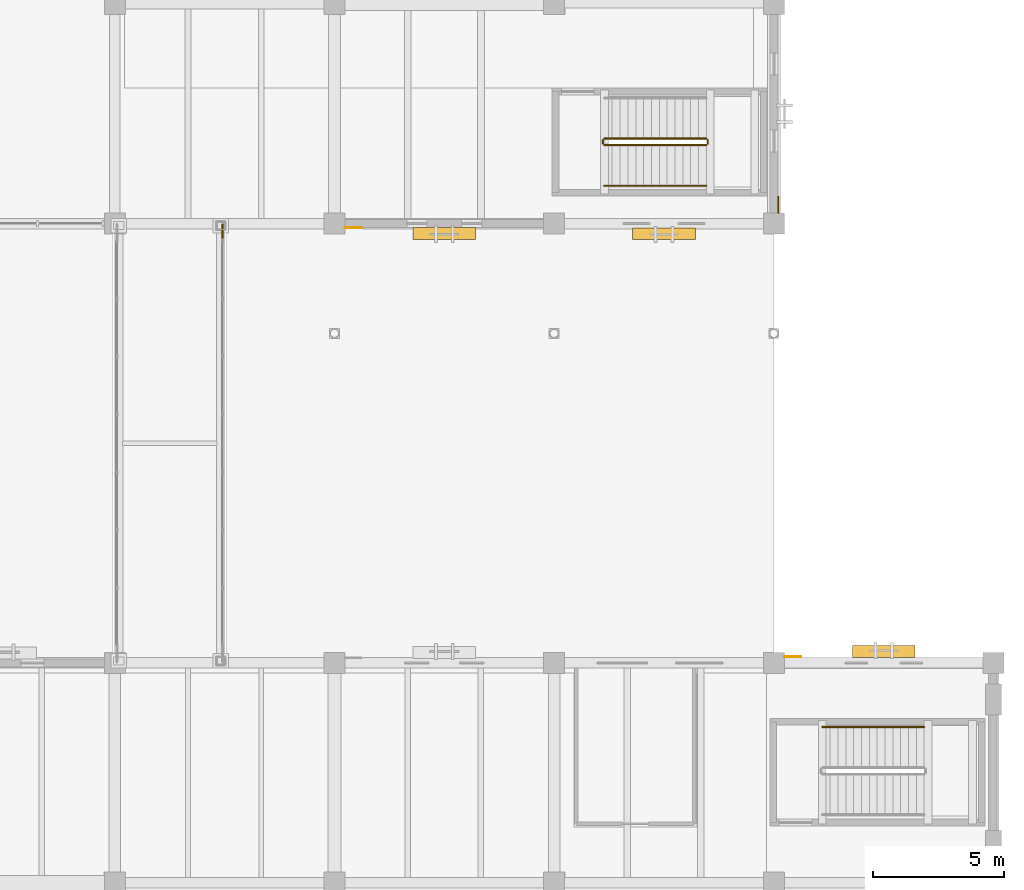
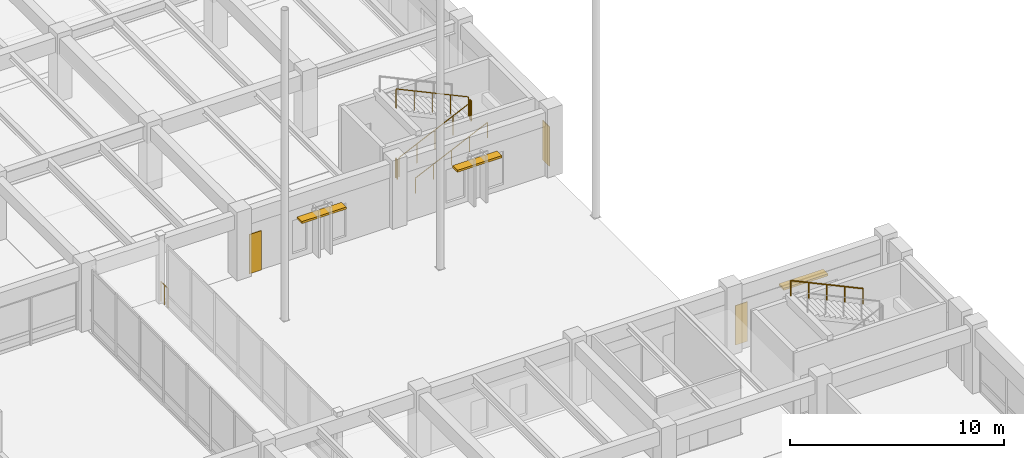
# One storey, part 133 of 135: 7 railings, 3 coverings, 3 shading devices.
"""IFC4 building model written with IfcOpenShell, lengths in metres."""

from ifc_helpers import new_model, si_unit, direction, frame, origin, origin_2d, place, context, subcontext, project, spatial, polyline, rectangle, circle, outline, extrude, material, layer, layer_set, type_object, element, save


model = new_model("IFC4")

# Units and contexts
model_context = context("Model", 3, precision=1e-05, world=origin(), true_north=direction((0.0, 1.0)))
body_context = subcontext(model_context, "Body", "Model", "MODEL_VIEW")
ifc_project = project(units=[si_unit("LENGTHUNIT", "METRE"), si_unit("AREAUNIT", "SQUARE_METRE"), si_unit("VOLUMEUNIT", "CUBIC_METRE"), si_unit("PLANEANGLEUNIT", "RADIAN"), si_unit("MASSUNIT", "GRAM", prefix="KILO")], contexts=[model_context])

# Site, building, storey
site_placement = place(None, origin())
site = spatial("IfcSite", under=ifc_project, at=site_placement, CompositionType="ELEMENT")
building_placement = place(site_placement, origin())
building = spatial("IfcBuilding", under=site, at=building_placement, Name="Cumbredor Promenade Congress Hotel", CompositionType="ELEMENT")
storey_placement = place(building_placement, origin())
storey = spatial("IfcBuildingStorey", under=building, at=storey_placement, Name="L00", CompositionType="ELEMENT", Elevation=0.0)

# Covering
ifc_material_1 = material(Name="Precast concrete C40/50", Category="concrete")
ifc_layer_1 = layer(ifc_material_1, 0.044921875, Name="Precast concrete C40/50", Category="concrete")
ifc_layer_set_1 = layer_set([ifc_layer_1], Name="Precast concrete C40/50")
covering_type_1 = type_object("IfcCoveringType", Name="Board-Formed Architectural Cladding Panel 45mm", PredefinedType="CLADDING", material=ifc_layer_set_1)
covering_1_placement = place(storey_placement, origin())
element("IfcCovering", 1, at=covering_1_placement, inside=storey, type_object=covering_type_1, Name="L00 Facade Stone Cladding Pier 032", PredefinedType="CLADDING", context=body_context, shape_type="SweptSolid", body=[
    extrude(outline(polyline([(176.550048828125, 84.40087890625), (176.550048828125, 85.051025390625), (176.594970703125, 85.051025390625), (176.594970703125, 84.40087890625), (176.550048828125, 84.40087890625)])), origin(), (0.0, 0.0, 1.0), 2.25),
])

# Shading devices
ifc_material_2 = material(Name="Thermally broken anodized aluminium", Category="aluminium")
shading_device_type = type_object("IfcShadingDeviceType", Name="Horizontal Bronze Jalousie Louvre JAL-01", PredefinedType="JALOUSIE", material=ifc_material_2)
for number, where, z_axis, x_axis, name in (
    (2, (180.60009765625, 67.637451171875, 2.2099609375), (0.0, 0.0, 1.0), (1.0, 0.0, 0.0), "L00 Horizontal Bronze Jalousie 010"),
    (3, (163.800048828125, 83.625, 2.2099609375), (0.0, 0.0, 1.0), (1.0, 0.0, 0.0), "L00 Horizontal Bronze Jalousie 015"),
    (4, (172.199951171875, 83.612548828125, 2.2099609375), (0.0, 0.0, 1.0), (1.0, 0.0, 0.0), "L00 Horizontal Bronze Jalousie 016"),
):
    element("IfcShadingDevice", number, at=place(storey_placement, frame(where, z_axis=z_axis, x_axis=x_axis)), inside=storey, type_object=shading_device_type, Name=name, PredefinedType="JALOUSIE", context=body_context, shape_type="SweptSolid", body=[
        extrude(rectangle(XDim=2.39990234375, YDim=0.449951171875, at=origin_2d()), origin(), (0.0, 0.0, 1.0), 0.1201171875),
    ])

# Railings
ifc_material_3 = material(Name="Brushed stainless steel", Category="steel")
railing_type_1 = type_object("IfcRailingType", Name="Interior Void & Stair Guardrail GR-1100", PredefinedType="GUARDRAIL", material=ifc_material_3)
railing_1_placement = place(storey_placement, frame((169.919921875, 87.0, 0.139892578125)))
element("IfcRailing", 5, at=railing_1_placement, inside=storey, type_object=railing_type_1, Name="L00 ST-14 stair guard 1", PredefinedType="GUARDRAIL", context=body_context, shape_type="SweptSolid", body=[
    extrude(circle(Radius=0.02392578125, at=origin_2d()), frame((0.0, 0.0, 1.09619140625), z_axis=(0.906183139995, 0.0, 0.422885465331), x_axis=(0.0, 1.0, 0.0)), (0.0, 0.0, 1.0), 4.303955078125),
    extrude(circle(Radius=0.02099609375, at=origin_2d()), origin(), (0.0, 0.0, 1.0), 1.072021484375),
    extrude(circle(Radius=0.02099609375, at=origin_2d()), frame((0.97509765625, 0.0, 0.455078125)), (0.0, 0.0, 1.0), 1.072021484375),
    extrude(circle(Radius=0.02099609375, at=origin_2d()), frame((1.9501953125, 0.0, 0.91015625)), (0.0, 0.0, 1.0), 1.072021484375),
    extrude(circle(Radius=0.02099609375, at=origin_2d()), frame((2.925048828125, 0.0, 1.364990234375)), (0.0, 0.0, 1.0), 1.072021484375),
    extrude(circle(Radius=0.02099609375, at=origin_2d()), frame((3.900146484375, 0.0, 1.820068359375)), (0.0, 0.0, 1.0), 1.072021484375),
])
railing_2_placement = place(storey_placement, frame((173.8701171875, 87.050048828125, 1.9599609375)))
element("IfcRailing", 6, at=railing_2_placement, inside=storey, type_object=railing_type_1, Name="L00 ST-14 stair guard 2", PredefinedType="GUARDRAIL", context=body_context, shape_type="SweptSolid", body=[
    extrude(circle(Radius=0.02392578125, at=origin_2d()), frame((0.0, 0.0, 1.09619140625), z_axis=(0.0, 1.0, 0.0), x_axis=(-1.0, 0.0, 0.0)), (0.0, 0.0, 1.0), 0.14990234375),
    extrude(circle(Radius=0.02099609375, at=origin_2d()), origin(), (0.0, 0.0, 1.0), 1.072021484375),
    extrude(circle(Radius=0.02099609375, at=origin_2d()), frame((0.0, 0.14990234375, 0.0)), (0.0, 0.0, 1.0), 1.072021484375),
])
railing_3_placement = place(storey_placement, frame((173.820068359375, 87.25, 2.10009765625)))
element("IfcRailing", 7, at=railing_3_placement, inside=storey, type_object=railing_type_1, Name="L00 ST-14 stair guard 3", PredefinedType="GUARDRAIL", context=body_context, shape_type="SweptSolid", body=[
    extrude(circle(Radius=0.02392578125, at=origin_2d()), frame((0.0, 0.0, 1.09619140625), z_axis=(-0.906204877032, 0.0, 0.422838882842), x_axis=(0.0, -1.0, 0.0)), (0.0, 0.0, 1.0), 4.3037109375),
    extrude(circle(Radius=0.02099609375, at=origin_2d()), origin(), (0.0, 0.0, 1.0), 1.072021484375),
    extrude(circle(Radius=0.02099609375, at=origin_2d()), frame((-0.97509765625, 0.0, 0.455078125)), (0.0, 0.0, 1.0), 1.072021484375),
    extrude(circle(Radius=0.02099609375, at=origin_2d()), frame((-1.9501953125, 0.0, 0.909912109375)), (0.0, 0.0, 1.0), 1.072021484375),
    extrude(circle(Radius=0.02099609375, at=origin_2d()), frame((-2.925048828125, 0.0, 1.36474609375)), (0.0, 0.0, 1.0), 1.072021484375),
    extrude(circle(Radius=0.02099609375, at=origin_2d()), frame((-3.900146484375, 0.0, 1.81982421875)), (0.0, 0.0, 1.0), 1.072021484375),
])
railing_4_placement = place(storey_placement, frame((169.8701171875, 87.050048828125, 0.0)))
element("IfcRailing", 8, at=railing_4_placement, inside=storey, type_object=railing_type_1, Name="L00 ST-14 stair guard 4", PredefinedType="GUARDRAIL", context=body_context, shape_type="SweptSolid", body=[
    extrude(circle(Radius=0.02392578125, at=origin_2d()), frame((0.0, 0.0, 1.09619140625), z_axis=(0.0, 1.0, 0.0), x_axis=(-1.0, 0.0, 0.0)), (0.0, 0.0, 1.0), 0.14990234375),
    extrude(circle(Radius=0.02099609375, at=origin_2d()), origin(), (0.0, 0.0, 1.0), 1.072021484375),
    extrude(circle(Radius=0.02099609375, at=origin_2d()), frame((0.0, 0.14990234375, 0.0)), (0.0, 0.0, 1.0), 1.072021484375),
])
railing_type_2 = type_object("IfcRailingType", Name="Sky Garden Glass-and-Steel Balustrade BAL-1150", PredefinedType="BALUSTRADE", material=ifc_material_3)
railing_5_placement = place(storey_placement, frame((155.320068359375, 83.300048828125, 0.0)))
element("IfcRailing", 9, at=railing_5_placement, inside=storey, type_object=railing_type_2, Name="L00 East Ballroom-to-Forum Glazed Bridge End Guardrail NE", PredefinedType="BALUSTRADE", context=body_context, shape_type="SweptSolid", body=[
    extrude(circle(Radius=0.02392578125, at=origin_2d()), frame((0.0, 0.0, 1.1259765625), z_axis=(0.0, 1.0, 0.0), x_axis=(-1.0, 0.0, 0.0)), (0.0, 0.0, 1.0), 0.669921875),
    extrude(circle(Radius=0.02099609375, at=origin_2d()), origin(), (0.0, 0.0, 1.0), 1.101806640625),
    extrude(circle(Radius=0.02099609375, at=origin_2d()), frame((0.0, 0.3349609375, 0.0)), (0.0, 0.0, 1.0), 1.101806640625),
    extrude(circle(Radius=0.02099609375, at=origin_2d()), frame((0.0, 0.669921875, 0.0)), (0.0, 0.0, 1.0), 1.101806640625),
])
railing_type_3 = type_object("IfcRailingType", Name="Stair Pitch Handrail HR-900", PredefinedType="HANDRAIL", material=ifc_material_3)
railing_6_placement = place(storey_placement, frame((182.14990234375, 64.75, 2.10009765625)))
element("IfcRailing", 10, at=railing_6_placement, inside=storey, type_object=railing_type_3, Name="L00 ST-10 stair handrail 2", PredefinedType="HANDRAIL", context=body_context, shape_type="SweptSolid", body=[
    extrude(circle(Radius=0.02392578125, at=origin_2d()), frame((0.0, 0.0, 0.8759765625), z_axis=(-0.906194733976, 0.0, 0.422860620199), x_axis=(0.0, -1.0, 0.0)), (0.0, 0.0, 1.0), 4.3037109375),
    extrude(circle(Radius=0.02099609375, at=origin_2d()), origin(), (0.0, 0.0, 1.0), 0.851806640625),
    extrude(circle(Radius=0.02099609375, at=origin_2d()), frame((-0.97509765625, 0.0, 0.455078125)), (0.0, 0.0, 1.0), 0.851806640625),
    extrude(circle(Radius=0.02099609375, at=origin_2d()), frame((-1.949951171875, 0.0, 0.909912109375)), (0.0, 0.0, 1.0), 0.851806640625),
    extrude(circle(Radius=0.02099609375, at=origin_2d()), frame((-2.9248046875, 0.0, 1.36474609375)), (0.0, 0.0, 1.0), 0.851806640625),
    extrude(circle(Radius=0.02099609375, at=origin_2d()), frame((-3.89990234375, 0.0, 1.81982421875)), (0.0, 0.0, 1.0), 0.851806640625),
])
railing_7_placement = place(storey_placement, frame((169.919921875, 85.449951171875, 0.139892578125)))
element("IfcRailing", 11, at=railing_7_placement, inside=storey, type_object=railing_type_3, Name="L00 ST-14 stair handrail 1", PredefinedType="HANDRAIL", context=body_context, shape_type="SweptSolid", body=[
    extrude(circle(Radius=0.02392578125, at=origin_2d()), frame((0.0, 0.0, 0.8759765625), z_axis=(0.906183139995, 0.0, 0.422885465331), x_axis=(0.0, 1.0, 0.0)), (0.0, 0.0, 1.0), 4.303955078125),
    extrude(circle(Radius=0.02099609375, at=origin_2d()), origin(), (0.0, 0.0, 1.0), 0.851806640625),
    extrude(circle(Radius=0.02099609375, at=origin_2d()), frame((0.97509765625, 0.0, 0.455078125)), (0.0, 0.0, 1.0), 0.851806640625),
    extrude(circle(Radius=0.02099609375, at=origin_2d()), frame((1.9501953125, 0.0, 0.91015625)), (0.0, 0.0, 1.0), 0.851806640625),
    extrude(circle(Radius=0.02099609375, at=origin_2d()), frame((2.925048828125, 0.0, 1.364990234375)), (0.0, 0.0, 1.0), 0.851806640625),
    extrude(circle(Radius=0.02099609375, at=origin_2d()), frame((3.900146484375, 0.0, 1.820068359375)), (0.0, 0.0, 1.0), 0.851806640625),
])

# Coverings
ifc_material_4 = material(Name="Volcanic andesite ashlar cladding", Category="masonry")
ifc_layer_2 = layer(ifc_material_4, 0.034912109375, Name="Volcanic andesite ashlar cladding", Category="masonry")
ifc_layer_set_2 = layer_set([ifc_layer_2], Name="Volcanic andesite ashlar cladding")
covering_type_2 = type_object("IfcCoveringType", Name="Volcanic Andesite Ashlar Rainscreen Cladding 35mm", PredefinedType="CLADDING", material=ifc_layer_set_2)
covering_2_placement = place(storey_placement, origin())
element("IfcCovering", 12, at=covering_2_placement, inside=storey, type_object=covering_type_2, Name="L00 Facade Stone Cladding Pier 013", PredefinedType="CLADDING", context=body_context, shape_type="SweptSolid", body=[
    extrude(outline(polyline([(176.801025390625, 67.41259765625), (177.450927734375, 67.41259765625), (177.450927734375, 67.447509765625), (176.801025390625, 67.447509765625), (176.801025390625, 67.41259765625)])), origin(), (0.0, 0.0, 1.0), 2.25),
])
covering_3_placement = place(storey_placement, origin())
element("IfcCovering", 13, at=covering_3_placement, inside=storey, type_object=covering_type_2, Name="L00 Facade Stone Cladding Pier 027", PredefinedType="CLADDING", context=body_context, shape_type="SweptSolid", body=[
    extrude(outline(polyline([(160.0009765625, 83.85009765625), (160.65087890625, 83.85009765625), (160.65087890625, 83.81494140625), (160.0009765625, 83.81494140625), (160.0009765625, 83.85009765625)])), origin(), (0.0, 0.0, 1.0), 2.25),
])

save(model, "model.ifc")
